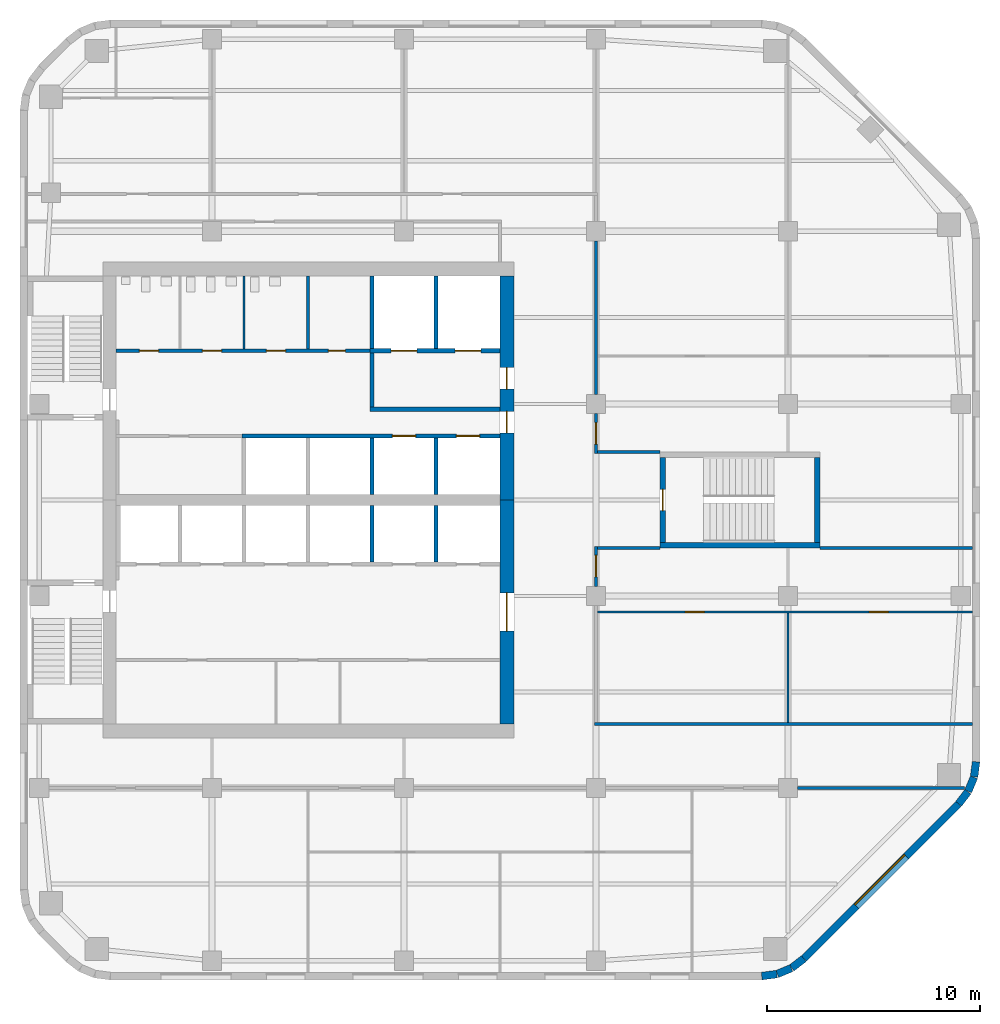
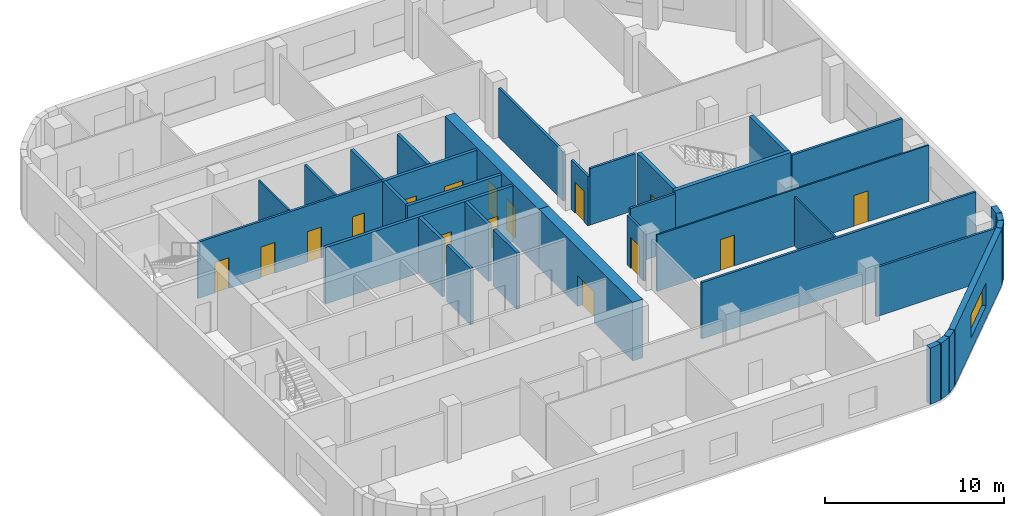
# One storey, part 4 of 8: 35 walls, 16 doors, 1 window, 17 openings.
"""IFC4 building model written with IfcOpenShell, lengths in metres."""

from ifc_helpers import new_model, si_unit, direction, frame, frame_2d, origin, place, context, subcontext, project, spatial, rectangle, extrude, material, layer, layer_set, type_object, element, fill, save


model = new_model("IFC4")

# Units and contexts
model_context = context("Model", 3, precision=1e-05, world=origin(), true_north=direction((0.0, 1.0)))
body_context = subcontext(model_context, "Body", "Model", "MODEL_VIEW")
ifc_project = project(units=[si_unit("LENGTHUNIT", "METRE"), si_unit("AREAUNIT", "SQUARE_METRE"), si_unit("VOLUMEUNIT", "CUBIC_METRE"), si_unit("PLANEANGLEUNIT", "RADIAN"), si_unit("MASSUNIT", "GRAM", prefix="KILO")], contexts=[model_context])

# Site, building, storey
site_placement = place(None, origin())
site = spatial("IfcSite", under=ifc_project, at=site_placement, CompositionType="ELEMENT")
building_placement = place(site_placement, origin())
building = spatial("IfcBuilding", under=site, at=building_placement, Name="Cinnabar Reach Civic Tower", CompositionType="ELEMENT")
storey_placement = place(building_placement, frame((0.0, 0.0, 165.0)))
storey = spatial("IfcBuildingStorey", under=building, at=storey_placement, Name="L39", CompositionType="ELEMENT", Elevation=165.0)

# Walls
ifc_material_1 = material(Name="Facing brick with insulated backing", Category="masonry")
ifc_layer_1 = layer(ifc_material_1, 0.36)
ifc_layer_set_1 = layer_set([ifc_layer_1], Name="Brick corner wall")
wall_type_1 = type_object("IfcWallType", Name="Brick corner wall", PredefinedType="STANDARD", material=ifc_layer_set_1)
for number, where, z_axis, x_axis, name in (
    (1, (34.7686, 9.183, 0.0), (0.0, 0.0, 1.0), (0.99144092581, 0.13055608231, 0.0), "Brick corner wall"),
    (2, (35.4973, 9.2819, 0.0), (0.0, 0.0, 1.0), (0.923871547278, 0.382702709855, 0.0), "Brick corner wall"),
):
    element("IfcWall", number, at=place(storey_placement, frame(where, z_axis=z_axis, x_axis=x_axis)), inside=storey, type_object=wall_type_1, Name=name, PredefinedType="STANDARD", context=body_context, shape_type="SweptSolid", body=[
        extrude(rectangle(XDim=0.7131, YDim=0.36, at=frame_2d((0.3565, 0.0))), origin(), (0.0, 0.0, 1.0), 3.85),
    ])
for number, where, z_axis, x_axis, name in (
    (3, (36.1755, 9.566, 0.0), (0.0, 0.0, 1.0), (0.793321924995, 0.608802368033, 0.0), "Brick corner wall"),
    (4, (43.9998, 17.2587, 0.0), (0.0, 0.0, 1.0), (0.608802368033, 0.793321924995, 0.0), "Brick corner wall"),
):
    element("IfcWall", number, at=place(storey_placement, frame(where, z_axis=z_axis, x_axis=x_axis)), inside=storey, type_object=wall_type_1, Name=name, PredefinedType="STANDARD", context=body_context, shape_type="SweptSolid", body=[
        extrude(rectangle(XDim=0.7132, YDim=0.36, at=frame_2d((0.3566, 0.0))), origin(), (0.0, 0.0, 1.0), 3.85),
    ])
for number, where, z_axis, x_axis, name in (
    (5, (44.4452, 17.8439, 0.0), (0.0, 0.0, 1.0), (0.382702709855, 0.923871547278, 0.0), "Brick corner wall"),
    (6, (44.7239, 18.5244, 0.0), (0.0, 0.0, 1.0), (0.13055608231, 0.99144092581, 0.0), "Brick corner wall"),
):
    element("IfcWall", number, at=place(storey_placement, frame(where, z_axis=z_axis, x_axis=x_axis)), inside=storey, type_object=wall_type_1, Name=name, PredefinedType="STANDARD", context=body_context, shape_type="SweptSolid", body=[
        extrude(rectangle(XDim=0.7131, YDim=0.36, at=frame_2d((0.3565, 0.0))), origin(), (0.0, 0.0, 1.0), 3.85),
    ])

# Wall, opening, window
ifc_layer_2 = layer(ifc_material_1, 0.36)
ifc_layer_set_2 = layer_set([ifc_layer_2], Name="Brick pier and spandrel wall")
wall_type_2 = type_object("IfcWallType", Name="Brick pier and spandrel wall", PredefinedType="STANDARD", material=ifc_layer_set_2)
wall_1_placement = place(storey_placement, frame((36.7514, 10.006, 0.0), z_axis=(0.0, 0.0, 1.0), x_axis=(0.707106781187, 0.707106781187, 0.0)))
wall_1 = element("IfcWall", 7, at=wall_1_placement, inside=storey, type_object=wall_type_2, Name="Brick facade wall", PredefinedType="STANDARD", context=body_context, shape_type="SweptSolid", body=[
    extrude(rectangle(XDim=10.2426, YDim=0.36, at=frame_2d((5.1213, 0.0))), origin(), (0.0, 0.0, 1.0), 3.85),
])
opening_1_placement = place(wall_1_placement, frame((3.4713, 0.0, 0.9)))
opening_1 = element("IfcOpeningElement", 8, at=opening_1_placement, cuts=wall_1, Name="Opening W1807", PredefinedType="OPENING", context=body_context, shape_type="SweptSolid", body=[
    extrude(rectangle(XDim=3.3, YDim=1.6, at=frame_2d((1.65, 0.8))), frame((0.0, 0.19, 0.0), z_axis=(0.0, -1.0, 0.0), x_axis=(1.0, 0.0, 0.0)), (0.0, 0.0, 1.0), 0.38),
])
ifc_material_2 = material(Name="Clear double glazing in aluminium frame", Category="aluminium")
window_type = type_object("IfcWindowType", Name="Deep-set window A", PartitioningType="SINGLE_PANEL", PredefinedType="WINDOW", material=ifc_material_2)
window_placement = place(opening_1_placement, origin())
window = element("IfcWindow", 9, at=window_placement, inside=storey, type_object=window_type, Name="Window southeast face", OverallHeight=1.6, OverallWidth=3.3, PartitioningType="SINGLE_PANEL", PredefinedType="WINDOW", context=body_context, shape_type="SweptSolid", body=[
    extrude(rectangle(XDim=3.3, YDim=1.6, at=frame_2d((1.65, 0.8))), frame((0.0, 0.13, 0.0), z_axis=(0.0, -1.0, 0.0), x_axis=(1.0, 0.0, 0.0)), (0.0, 0.0, 1.0), 0.06),
])
fill(opening_1, window)

# Wall, opening, door
ifc_material_3 = material(Name="Concrete C70", Category="concrete")
ifc_layer_3 = layer(ifc_material_3, 0.65)
ifc_layer_set_3 = layer_set([ifc_layer_3], Name="Core wall 650 EI 180")
wall_type_3 = type_object("IfcWallType", Name="Core wall 650 EI 180", PredefinedType="SOLIDWALL", material=ifc_layer_set_3)
wall_2_placement = place(storey_placement, frame((22.825, 21.0, 0.0), z_axis=(0.0, 0.0, 1.0), x_axis=(0.0, 1.0, 0.0)))
wall_2 = element("IfcWall", 10, at=wall_2_placement, inside=storey, type_object=wall_type_3, Name="Core wall T1 L39 E", PredefinedType="SOLIDWALL", context=body_context, shape_type="SweptSolid", body=[
    extrude(rectangle(XDim=10.5, YDim=0.65, at=frame_2d((5.25, 0.0))), origin(), (0.0, 0.0, 1.0), 4.0),
])
opening_2_placement = place(wall_2_placement, frame((4.35, 0.0, 0.0)))
opening_2 = element("IfcOpeningElement", 11, at=opening_2_placement, cuts=wall_2, Name="Opening D4598", PredefinedType="OPENING", context=body_context, shape_type="SweptSolid", body=[
    extrude(rectangle(XDim=1.8, YDim=2.1, at=frame_2d((0.9, 1.05))), frame((0.0, 0.335, 0.0), z_axis=(0.0, -1.0, 0.0), x_axis=(1.0, 0.0, 0.0)), (0.0, 0.0, 1.0), 0.67),
])
ifc_material_4 = material(Name="Timber door leaf in steel frame", Category="steel")
door_type_1 = type_object("IfcDoorType", Name="Double swing door 1800 x 2100 T1", OperationType="DOUBLE_DOOR_DOUBLE_SWING", PredefinedType="DOOR", material=ifc_material_4)
door_1_placement = place(opening_2_placement, origin())
door_1 = element("IfcDoor", 12, at=door_1_placement, inside=storey, type_object=door_type_1, Name="Door D4598", OperationType="DOUBLE_DOOR_DOUBLE_SWING", OverallHeight=2.1, OverallWidth=1.8, PredefinedType="DOOR", context=body_context, shape_type="SweptSolid", body=[
    extrude(rectangle(XDim=1.8, YDim=2.1, at=frame_2d((0.9, 1.05))), frame((0.0, 0.025, 0.0), z_axis=(0.0, -1.0, 0.0), x_axis=(1.0, 0.0, 0.0)), (0.0, 0.0, 1.0), 0.05),
])
fill(opening_2, door_1)

# Wall, openings, doors
wall_3_placement = place(storey_placement, frame((22.825, 31.5, 0.0), z_axis=(0.0, 0.0, 1.0), x_axis=(0.0, 1.0, 0.0)))
wall_3 = element("IfcWall", 13, at=wall_3_placement, inside=storey, type_object=wall_type_3, Name="Core wall T1 L39 E2", PredefinedType="SOLIDWALL", context=body_context, shape_type="SweptSolid", body=[
    extrude(rectangle(XDim=10.5, YDim=0.65, at=frame_2d((5.25, 0.0))), origin(), (0.0, 0.0, 1.0), 4.0),
])
opening_3_placement = place(wall_3_placement, frame((3.15, 0.0, 0.0)))
opening_3 = element("IfcOpeningElement", 14, at=opening_3_placement, cuts=wall_3, Name="Opening D4599", PredefinedType="OPENING", context=body_context, shape_type="SweptSolid", body=[
    extrude(rectangle(XDim=1.0, YDim=2.1, at=frame_2d((0.5, 1.05))), frame((0.0, 0.335, 0.0), z_axis=(0.0, -1.0, 0.0), x_axis=(1.0, 0.0, 0.0)), (0.0, 0.0, 1.0), 0.67),
])
opening_4_placement = place(wall_3_placement, frame((5.2, 0.0, 0.0)))
opening_4 = element("IfcOpeningElement", 15, at=opening_4_placement, cuts=wall_3, Name="Opening D4600", PredefinedType="OPENING", context=body_context, shape_type="SweptSolid", body=[
    extrude(rectangle(XDim=1.0, YDim=2.1, at=frame_2d((0.5, 1.05))), frame((0.0, 0.335, 0.0), z_axis=(0.0, -1.0, 0.0), x_axis=(1.0, 0.0, 0.0)), (0.0, 0.0, 1.0), 0.67),
])
door_type_2 = type_object("IfcDoorType", Name="Firefighting lobby door 1000 x 2100 T1", OperationType="SINGLE_SWING_LEFT", PredefinedType="DOOR", material=ifc_material_4)
door_2_placement = place(opening_4_placement, origin())
door_2 = element("IfcDoor", 16, at=door_2_placement, inside=storey, type_object=door_type_2, Name="Door D4600", OperationType="SINGLE_SWING_RIGHT", OverallHeight=2.1, OverallWidth=1.0, PredefinedType="DOOR", context=body_context, shape_type="SweptSolid", body=[
    extrude(rectangle(XDim=1.0, YDim=2.1, at=frame_2d((0.5, 1.05))), frame((0.0, 0.025, 0.0), z_axis=(0.0, -1.0, 0.0), x_axis=(1.0, 0.0, 0.0)), (0.0, 0.0, 1.0), 0.05),
])
fill(opening_4, door_2)
door_type_3 = type_object("IfcDoorType", Name="Single swing door 1000 x 2100 T1", OperationType="SINGLE_SWING_LEFT", PredefinedType="DOOR", material=ifc_material_4)
door_3_placement = place(opening_3_placement, origin())
door_3 = element("IfcDoor", 17, at=door_3_placement, inside=storey, type_object=door_type_3, Name="Door D4599", OperationType="SINGLE_SWING_RIGHT", OverallHeight=2.1, OverallWidth=1.0, PredefinedType="DOOR", context=body_context, shape_type="SweptSolid", body=[
    extrude(rectangle(XDim=1.0, YDim=2.1, at=frame_2d((0.5, 1.05))), frame((0.0, 0.025, 0.0), z_axis=(0.0, -1.0, 0.0), x_axis=(1.0, 0.0, 0.0)), (0.0, 0.0, 1.0), 0.05),
])
fill(opening_3, door_3)

# Walls
ifc_material_5 = material(Name="Gypsum board on steel studs, double layer", Category="steel")
ifc_layer_4 = layer(ifc_material_5, 0.15)
ifc_layer_set_4 = layer_set([ifc_layer_4], Name="Corridor wall 150 T1")
wall_type_4 = type_object("IfcWallType", Name="Corridor wall 150 T1", PredefinedType="PARTITIONING", material=ifc_layer_set_4)
wall_4_placement = place(storey_placement, frame((36.45, 18.0, 0.0), z_axis=(0.0, 0.0, 1.0), x_axis=(1.0, 0.0, 0.0)))
element("IfcWall", 18, at=wall_4_placement, inside=storey, type_object=wall_type_4, Name="Corridor wall 22", PredefinedType="PARTITIONING", context=body_context, shape_type="SweptSolid", body=[
    extrude(rectangle(XDim=7.834, YDim=0.15, at=frame_2d((3.917, 0.0))), origin(), (0.0, 0.0, 1.0), 3.35),
])
wall_5_placement = place(storey_placement, frame((26.925, 21.0, 0.0), z_axis=(0.0, 0.0, 1.0), x_axis=(1.0, 0.0, 0.0)))
element("IfcWall", 19, at=wall_5_placement, inside=storey, type_object=wall_type_4, Name="Corridor wall 27", PredefinedType="PARTITIONING", context=body_context, shape_type="SweptSolid", body=[
    extrude(rectangle(XDim=17.715, YDim=0.15, at=frame_2d((8.8575, 0.0))), origin(), (0.0, 0.0, 1.0), 3.85),
])

# Wall, opening, door
wall_6_placement = place(storey_placement, frame((27.0, 33.675, 0.0), z_axis=(0.0, 0.0, 1.0), x_axis=(0.0, 1.0, 0.0)))
wall_6 = element("IfcWall", 20, at=wall_6_placement, inside=storey, type_object=wall_type_4, Name="Corridor wall 28", PredefinedType="PARTITIONING", context=body_context, shape_type="SweptSolid", body=[
    extrude(rectangle(XDim=1.875, YDim=0.15, at=frame_2d((0.9375, 0.0))), origin(), (0.0, 0.0, 1.0), 3.362),
])
opening_5_placement = place(wall_6_placement, frame((0.45, 0.0, 0.0)))
opening_5 = element("IfcOpeningElement", 21, at=opening_5_placement, cuts=wall_6, Name="Opening D4610", PredefinedType="OPENING", context=body_context, shape_type="SweptSolid", body=[
    extrude(rectangle(XDim=1.0, YDim=2.1, at=frame_2d((0.5, 1.05))), frame((0.0, 0.085, 0.0), z_axis=(0.0, -1.0, 0.0), x_axis=(1.0, 0.0, 0.0)), (0.0, 0.0, 1.0), 0.17),
])
door_type_4 = type_object("IfcDoorType", Name="Tenancy entrance door 1000 x 2100 T1", OperationType="SINGLE_SWING_LEFT", PredefinedType="DOOR", material=ifc_material_4)
door_4_placement = place(opening_5_placement, frame((1.0, 0.0, 0.0), z_axis=(0.0, 0.0, 1.0), x_axis=(-1.0, 0.0, 0.0)))
door_4 = element("IfcDoor", 22, at=door_4_placement, inside=storey, type_object=door_type_4, Name="Door D4610", OperationType="SINGLE_SWING_RIGHT", OverallHeight=2.1, OverallWidth=1.0, PredefinedType="DOOR", context=body_context, shape_type="SweptSolid", body=[
    extrude(rectangle(XDim=1.0, YDim=2.1, at=frame_2d((0.5, 1.05))), frame((0.0, 0.025, 0.0), z_axis=(0.0, -1.0, 0.0), x_axis=(1.0, 0.0, 0.0)), (0.0, 0.0, 1.0), 0.05),
])
fill(opening_5, door_4)

# Wall
wall_7_placement = place(storey_placement, frame((27.0, 36.45, 0.0), z_axis=(0.0, 0.0, 1.0), x_axis=(0.0, 1.0, 0.0)))
element("IfcWall", 23, at=wall_7_placement, inside=storey, type_object=wall_type_4, Name="Corridor wall 29", PredefinedType="PARTITIONING", context=body_context, shape_type="SweptSolid", body=[
    extrude(rectangle(XDim=7.2, YDim=0.15, at=frame_2d((3.6, 0.0))), origin(), (0.0, 0.0, 1.0), 3.362),
])

# Wall, openings, doors
wall_8_placement = place(storey_placement, frame((4.5, 38.5, 0.0), z_axis=(0.0, 0.0, 1.0), x_axis=(1.0, 0.0, 0.0)))
wall_8 = element("IfcWall", 24, at=wall_8_placement, inside=storey, type_object=wall_type_4, Name="Corridor wall 31", PredefinedType="PARTITIONING", context=body_context, shape_type="SweptSolid", body=[
    extrude(rectangle(XDim=11.9, YDim=0.15, at=frame_2d((5.95, 0.0))), origin(), (0.0, 0.0, 1.0), 3.85),
])
opening_6_placement = place(wall_8_placement, frame((1.1, 0.0, 0.0)))
opening_6 = element("IfcOpeningElement", 25, at=opening_6_placement, cuts=wall_8, Name="Opening D4606", PredefinedType="OPENING", context=body_context, shape_type="SweptSolid", body=[
    extrude(rectangle(XDim=0.9, YDim=2.1, at=frame_2d((0.45, 1.05))), frame((0.0, 0.085, 0.0), z_axis=(0.0, -1.0, 0.0), x_axis=(1.0, 0.0, 0.0)), (0.0, 0.0, 1.0), 0.17),
])
opening_7_placement = place(wall_8_placement, frame((4.05, 0.0, 0.0)))
opening_7 = element("IfcOpeningElement", 26, at=opening_7_placement, cuts=wall_8, Name="Opening D4607", PredefinedType="OPENING", context=body_context, shape_type="SweptSolid", body=[
    extrude(rectangle(XDim=0.9, YDim=2.1, at=frame_2d((0.45, 1.05))), frame((0.0, 0.085, 0.0), z_axis=(0.0, -1.0, 0.0), x_axis=(1.0, 0.0, 0.0)), (0.0, 0.0, 1.0), 0.17),
])
opening_8_placement = place(wall_8_placement, frame((7.05, 0.0, 0.0)))
opening_8 = element("IfcOpeningElement", 27, at=opening_8_placement, cuts=wall_8, Name="Opening D4608", PredefinedType="OPENING", context=body_context, shape_type="SweptSolid", body=[
    extrude(rectangle(XDim=0.9, YDim=2.1, at=frame_2d((0.45, 1.05))), frame((0.0, 0.085, 0.0), z_axis=(0.0, -1.0, 0.0), x_axis=(1.0, 0.0, 0.0)), (0.0, 0.0, 1.0), 0.17),
])
opening_9_placement = place(wall_8_placement, frame((9.95, 0.0, 0.0)))
opening_9 = element("IfcOpeningElement", 28, at=opening_9_placement, cuts=wall_8, Name="Opening D4609", PredefinedType="OPENING", context=body_context, shape_type="SweptSolid", body=[
    extrude(rectangle(XDim=0.8, YDim=2.1, at=frame_2d((0.4, 1.05))), frame((0.0, 0.085, 0.0), z_axis=(0.0, -1.0, 0.0), x_axis=(1.0, 0.0, 0.0)), (0.0, 0.0, 1.0), 0.17),
])
door_type_5 = type_object("IfcDoorType", Name="Riser access door 800 x 2100 T1", OperationType="SINGLE_SWING_LEFT", PredefinedType="DOOR", material=ifc_material_4)
door_5_placement = place(opening_9_placement, origin())
door_5 = element("IfcDoor", 29, at=door_5_placement, inside=storey, type_object=door_type_5, Name="Door D4609", OperationType="SINGLE_SWING_LEFT", OverallHeight=2.1, OverallWidth=0.8, PredefinedType="DOOR", context=body_context, shape_type="SweptSolid", body=[
    extrude(rectangle(XDim=0.8, YDim=2.1, at=frame_2d((0.4, 1.05))), frame((0.0, 0.025, 0.0), z_axis=(0.0, -1.0, 0.0), x_axis=(1.0, 0.0, 0.0)), (0.0, 0.0, 1.0), 0.05),
])
fill(opening_9, door_5)
door_type_6 = type_object("IfcDoorType", Name="Single swing door 900 x 2100 corridor T1", OperationType="SINGLE_SWING_LEFT", PredefinedType="DOOR", material=ifc_material_4)
door_6_placement = place(opening_6_placement, origin())
door_6 = element("IfcDoor", 30, at=door_6_placement, inside=storey, type_object=door_type_6, Name="Door D4606", OperationType="SINGLE_SWING_RIGHT", OverallHeight=2.1, OverallWidth=0.9, PredefinedType="DOOR", context=body_context, shape_type="SweptSolid", body=[
    extrude(rectangle(XDim=0.9, YDim=2.1, at=frame_2d((0.45, 1.05))), frame((0.0, 0.025, 0.0), z_axis=(0.0, -1.0, 0.0), x_axis=(1.0, 0.0, 0.0)), (0.0, 0.0, 1.0), 0.05),
])
fill(opening_6, door_6)
door_7_placement = place(opening_7_placement, origin())
door_7 = element("IfcDoor", 31, at=door_7_placement, inside=storey, type_object=door_type_6, Name="Door D4607", OperationType="SINGLE_SWING_LEFT", OverallHeight=2.1, OverallWidth=0.9, PredefinedType="DOOR", context=body_context, shape_type="SweptSolid", body=[
    extrude(rectangle(XDim=0.9, YDim=2.1, at=frame_2d((0.45, 1.05))), frame((0.0, 0.025, 0.0), z_axis=(0.0, -1.0, 0.0), x_axis=(1.0, 0.0, 0.0)), (0.0, 0.0, 1.0), 0.05),
])
fill(opening_7, door_7)
door_8_placement = place(opening_8_placement, origin())
door_8 = element("IfcDoor", 32, at=door_8_placement, inside=storey, type_object=door_type_6, Name="Door D4608", OperationType="SINGLE_SWING_RIGHT", OverallHeight=2.1, OverallWidth=0.9, PredefinedType="DOOR", context=body_context, shape_type="SweptSolid", body=[
    extrude(rectangle(XDim=0.9, YDim=2.1, at=frame_2d((0.45, 1.05))), frame((0.0, 0.025, 0.0), z_axis=(0.0, -1.0, 0.0), x_axis=(1.0, 0.0, 0.0)), (0.0, 0.0, 1.0), 0.05),
])
fill(opening_8, door_8)

# Wall, opening, door
wall_9_placement = place(storey_placement, frame((27.0, 27.45, 0.0), z_axis=(0.0, 0.0, 1.0), x_axis=(0.0, 1.0, 0.0)))
wall_9 = element("IfcWall", 33, at=wall_9_placement, inside=storey, type_object=wall_type_4, Name="Corridor wall 33", PredefinedType="PARTITIONING", context=body_context, shape_type="SweptSolid", body=[
    extrude(rectangle(XDim=1.875, YDim=0.15, at=frame_2d((0.9375, 0.0))), origin(), (0.0, 0.0, 1.0), 3.362),
])
opening_10_placement = place(wall_9_placement, frame((0.45, 0.0, 0.0)))
opening_10 = element("IfcOpeningElement", 34, at=opening_10_placement, cuts=wall_9, Name="Opening D4613", PredefinedType="OPENING", context=body_context, shape_type="SweptSolid", body=[
    extrude(rectangle(XDim=1.0, YDim=2.1, at=frame_2d((0.5, 1.05))), frame((0.0, 0.085, 0.0), z_axis=(0.0, -1.0, 0.0), x_axis=(1.0, 0.0, 0.0)), (0.0, 0.0, 1.0), 0.17),
])
door_9_placement = place(opening_10_placement, frame((1.0, 0.0, 0.0), z_axis=(0.0, 0.0, 1.0), x_axis=(-1.0, 0.0, 0.0)))
door_9 = element("IfcDoor", 35, at=door_9_placement, inside=storey, type_object=door_type_4, Name="Door D4613", OperationType="SINGLE_SWING_LEFT", OverallHeight=2.1, OverallWidth=1.0, PredefinedType="DOOR", context=body_context, shape_type="SweptSolid", body=[
    extrude(rectangle(XDim=1.0, YDim=2.1, at=frame_2d((0.5, 1.05))), frame((0.0, 0.025, 0.0), z_axis=(0.0, -1.0, 0.0), x_axis=(1.0, 0.0, 0.0)), (0.0, 0.0, 1.0), 0.05),
])
fill(opening_10, door_9)

# Walls
for number, where, z_axis, x_axis, name in (
    (36, (27.075, 29.25, 0.0), (0.0, 0.0, 1.0), (1.0, 0.0, 0.0), "Corridor wall 37"),
    (37, (27.075, 33.75, 0.0), (0.0, 0.0, 1.0), (1.0, 0.0, 0.0), "Corridor wall 38"),
):
    element("IfcWall", number, at=place(storey_placement, frame(where, z_axis=z_axis, x_axis=x_axis)), inside=storey, type_object=wall_type_4, Name=name, PredefinedType="PARTITIONING", context=body_context, shape_type="SweptSolid", body=[
        extrude(rectangle(XDim=2.925, YDim=0.15, at=frame_2d((1.4625, 0.0))), origin(), (0.0, 0.0, 1.0), 3.85),
    ])

# Wall, openings, doors
ifc_material_6 = material(Name="Blockwork", Category="masonry")
ifc_layer_5 = layer(ifc_material_6, 0.2)
ifc_layer_set_5 = layer_set([ifc_layer_5], Name="Lift shaft wall 200 T1")
wall_type_5 = type_object("IfcWallType", Name="Lift shaft wall 200 T1", PredefinedType="PARTITIONING", material=ifc_layer_set_5)
wall_10_placement = place(storey_placement, frame((10.4, 34.5, 0.0), z_axis=(0.0, 0.0, 1.0), x_axis=(1.0, 0.0, 0.0)))
wall_10 = element("IfcWall", 38, at=wall_10_placement, inside=storey, type_object=wall_type_5, Name="Lift shaft wall 5", PredefinedType="PARTITIONING", context=body_context, shape_type="SweptSolid", body=[
    extrude(rectangle(XDim=12.1, YDim=0.2, at=frame_2d((6.05, 0.0))), origin(), (0.0, 0.0, 1.0), 3.85),
])
opening_11_placement = place(wall_10_placement, frame((7.05, 0.0, 0.0)))
opening_11 = element("IfcOpeningElement", 39, at=opening_11_placement, cuts=wall_10, Name="Opening D4594", PredefinedType="OPENING", context=body_context, shape_type="SweptSolid", body=[
    extrude(rectangle(XDim=1.1, YDim=2.1, at=frame_2d((0.55, 1.05))), frame((0.0, 0.11, 0.0), z_axis=(0.0, -1.0, 0.0), x_axis=(1.0, 0.0, 0.0)), (0.0, 0.0, 1.0), 0.22),
])
opening_12_placement = place(wall_10_placement, frame((10.05, 0.0, 0.0)))
opening_12 = element("IfcOpeningElement", 40, at=opening_12_placement, cuts=wall_10, Name="Opening D4595", PredefinedType="OPENING", context=body_context, shape_type="SweptSolid", body=[
    extrude(rectangle(XDim=1.1, YDim=2.1, at=frame_2d((0.55, 1.05))), frame((0.0, 0.11, 0.0), z_axis=(0.0, -1.0, 0.0), x_axis=(1.0, 0.0, 0.0)), (0.0, 0.0, 1.0), 0.22),
])
ifc_material_7 = material(Name="Stainless steel sliding door", Category="steel")
door_type_7 = type_object("IfcDoorType", Name="Lift landing door 1100 x 2100 T1", OperationType="SLIDING_TO_LEFT", PredefinedType="DOOR", material=ifc_material_7)
door_10_placement = place(opening_11_placement, origin())
door_10 = element("IfcDoor", 41, at=door_10_placement, inside=storey, type_object=door_type_7, Name="Lift landing door SV1 L39", OperationType="SLIDING_TO_LEFT", OverallHeight=2.1, OverallWidth=1.1, PredefinedType="DOOR", context=body_context, shape_type="SweptSolid", body=[
    extrude(rectangle(XDim=1.1, YDim=2.1, at=frame_2d((0.55, 1.05))), frame((0.0, 0.025, 0.0), z_axis=(0.0, -1.0, 0.0), x_axis=(1.0, 0.0, 0.0)), (0.0, 0.0, 1.0), 0.05),
])
fill(opening_11, door_10)
door_11_placement = place(opening_12_placement, origin())
door_11 = element("IfcDoor", 42, at=door_11_placement, inside=storey, type_object=door_type_7, Name="Lift landing door SV2 L39", OperationType="SLIDING_TO_LEFT", OverallHeight=2.1, OverallWidth=1.1, PredefinedType="DOOR", context=body_context, shape_type="SweptSolid", body=[
    extrude(rectangle(XDim=1.1, YDim=2.1, at=frame_2d((0.55, 1.05))), frame((0.0, 0.025, 0.0), z_axis=(0.0, -1.0, 0.0), x_axis=(1.0, 0.0, 0.0)), (0.0, 0.0, 1.0), 0.05),
])
fill(opening_12, door_11)

# Walls
for number, where, z_axis, x_axis, name in (
    (43, (16.5, 28.6, 0.0), (0.0, 0.0, 1.0), (0.0, 1.0, 0.0), "Lift shaft wall 10"),
    (44, (16.5, 31.75, 0.0), (0.0, 0.0, 1.0), (0.0, 1.0, 0.0), "Lift shaft wall 11"),
    (45, (19.5, 28.6, 0.0), (0.0, 0.0, 1.0), (0.0, 1.0, 0.0), "Lift shaft wall 12"),
    (46, (19.5, 31.75, 0.0), (0.0, 0.0, 1.0), (0.0, 1.0, 0.0), "Lift shaft wall 13"),
):
    element("IfcWall", number, at=place(storey_placement, frame(where, z_axis=z_axis, x_axis=x_axis)), inside=storey, type_object=wall_type_5, Name=name, PredefinedType="PARTITIONING", context=body_context, shape_type="SweptSolid", body=[
        extrude(rectangle(XDim=2.65, YDim=0.2, at=frame_2d((1.325, 0.0))), origin(), (0.0, 0.0, 1.0), 3.85),
    ])
for number, where, z_axis, x_axis, name in (
    (47, (16.5, 38.6, 0.0), (0.0, 0.0, 1.0), (0.0, 1.0, 0.0), "Lift shaft wall 14"),
    (48, (19.5, 38.6, 0.0), (0.0, 0.0, 1.0), (0.0, 1.0, 0.0), "Lift shaft wall 15"),
):
    element("IfcWall", number, at=place(storey_placement, frame(where, z_axis=z_axis, x_axis=x_axis)), inside=storey, type_object=wall_type_5, Name=name, PredefinedType="PARTITIONING", context=body_context, shape_type="SweptSolid", body=[
        extrude(rectangle(XDim=3.4, YDim=0.2, at=frame_2d((1.7, 0.0))), origin(), (0.0, 0.0, 1.0), 3.85),
    ])

# Wall, openings, doors
ifc_material_8 = material(Name="Gypsum board on steel studs", Category="steel")
ifc_layer_6 = layer(ifc_material_8, 0.1)
ifc_layer_set_6 = layer_set([ifc_layer_6], Name="Partition wall 100 T1")
wall_type_6 = type_object("IfcWallType", Name="Partition wall 100 T1", PredefinedType="PARTITIONING", material=ifc_layer_set_6)
wall_11_placement = place(storey_placement, frame((27.075, 26.25, 0.0), z_axis=(0.0, 0.0, 1.0), x_axis=(1.0, 0.0, 0.0)))
wall_11 = element("IfcWall", 49, at=wall_11_placement, inside=storey, type_object=wall_type_6, Name="Partition wall 44", PredefinedType="PARTITIONING", context=body_context, shape_type="SweptSolid", body=[
    extrude(rectangle(XDim=17.565, YDim=0.1, at=frame_2d((8.7825, 0.0))), origin(), (0.0, 0.0, 1.0), 3.85),
])
opening_13_placement = place(wall_11_placement, frame((4.1, 0.0, 0.0)))
opening_13 = element("IfcOpeningElement", 50, at=opening_13_placement, cuts=wall_11, Name="Opening D4614", PredefinedType="OPENING", context=body_context, shape_type="SweptSolid", body=[
    extrude(rectangle(XDim=0.9, YDim=2.1, at=frame_2d((0.45, 1.05))), frame((0.0, 0.06, 0.0), z_axis=(0.0, -1.0, 0.0), x_axis=(1.0, 0.0, 0.0)), (0.0, 0.0, 1.0), 0.12),
])
opening_14_placement = place(wall_11_placement, frame((12.725, 0.0, 0.0)))
opening_14 = element("IfcOpeningElement", 51, at=opening_14_placement, cuts=wall_11, Name="Opening D4615", PredefinedType="OPENING", context=body_context, shape_type="SweptSolid", body=[
    extrude(rectangle(XDim=0.9, YDim=2.1, at=frame_2d((0.45, 1.05))), frame((0.0, 0.06, 0.0), z_axis=(0.0, -1.0, 0.0), x_axis=(1.0, 0.0, 0.0)), (0.0, 0.0, 1.0), 0.12),
])
door_type_8 = type_object("IfcDoorType", Name="Single swing door 900 x 2100 T1", OperationType="SINGLE_SWING_LEFT", PredefinedType="DOOR", material=ifc_material_4)
door_12_placement = place(opening_13_placement, frame((0.9, 0.0, 0.0), z_axis=(0.0, 0.0, 1.0), x_axis=(-1.0, 0.0, 0.0)))
door_12 = element("IfcDoor", 52, at=door_12_placement, inside=storey, type_object=door_type_8, Name="Door D4614", OperationType="SINGLE_SWING_RIGHT", OverallHeight=2.1, OverallWidth=0.9, PredefinedType="DOOR", context=body_context, shape_type="SweptSolid", body=[
    extrude(rectangle(XDim=0.9, YDim=2.1, at=frame_2d((0.45, 1.05))), frame((0.0, 0.025, 0.0), z_axis=(0.0, -1.0, 0.0), x_axis=(1.0, 0.0, 0.0)), (0.0, 0.0, 1.0), 0.05),
])
fill(opening_13, door_12)
door_13_placement = place(opening_14_placement, frame((0.9, 0.0, 0.0), z_axis=(0.0, 0.0, 1.0), x_axis=(-1.0, 0.0, 0.0)))
door_13 = element("IfcDoor", 53, at=door_13_placement, inside=storey, type_object=door_type_8, Name="Door D4615", OperationType="SINGLE_SWING_RIGHT", OverallHeight=2.1, OverallWidth=0.9, PredefinedType="DOOR", context=body_context, shape_type="SweptSolid", body=[
    extrude(rectangle(XDim=0.9, YDim=2.1, at=frame_2d((0.45, 1.05))), frame((0.0, 0.025, 0.0), z_axis=(0.0, -1.0, 0.0), x_axis=(1.0, 0.0, 0.0)), (0.0, 0.0, 1.0), 0.05),
])
fill(opening_14, door_13)

# Walls
wall_12_placement = place(storey_placement, frame((36.0, 21.075, 0.0), z_axis=(0.0, 0.0, 1.0), x_axis=(0.0, 1.0, 0.0)))
element("IfcWall", 54, at=wall_12_placement, inside=storey, type_object=wall_type_6, Name="Partition wall 58", PredefinedType="PARTITIONING", context=body_context, shape_type="SweptSolid", body=[
    extrude(rectangle(XDim=5.125, YDim=0.1, at=frame_2d((2.5625, 0.0))), origin(), (0.0, 0.0, 1.0), 3.362),
])
wall_13_placement = place(storey_placement, frame((10.5, 38.575, 0.0), z_axis=(0.0, 0.0, 1.0), x_axis=(0.0, 1.0, 0.0)))
element("IfcWall", 55, at=wall_13_placement, inside=storey, type_object=wall_type_6, Name="Partition wall 60", PredefinedType="PARTITIONING", context=body_context, shape_type="SweptSolid", body=[
    extrude(rectangle(XDim=3.425, YDim=0.1, at=frame_2d((1.7125, 0.0))), origin(), (0.0, 0.0, 1.0), 3.85),
])
ifc_material_9 = material(Name="Concrete C40", Category="concrete")
ifc_layer_7 = layer(ifc_material_9, 0.2)
ifc_layer_set_7 = layer_set([ifc_layer_7], Name="Refuge compartment wall 200 T1")
wall_type_7 = type_object("IfcWallType", Name="Refuge compartment wall 200 T1", PredefinedType="PARTITIONING", material=ifc_layer_set_7)
wall_14_placement = place(storey_placement, frame((16.4, 35.75, 0.0), z_axis=(0.0, 0.0, 1.0), x_axis=(1.0, 0.0, 0.0)))
element("IfcWall", 56, at=wall_14_placement, inside=storey, type_object=wall_type_7, Name="Refuge compartment wall 1", PredefinedType="PARTITIONING", context=body_context, shape_type="SweptSolid", body=[
    extrude(rectangle(XDim=6.1, YDim=0.2, at=frame_2d((3.05, 0.0))), origin(), (0.0, 0.0, 1.0), 3.85),
])

# Wall, openings, doors
wall_15_placement = place(storey_placement, frame((16.4, 38.5, 0.0), z_axis=(0.0, 0.0, 1.0), x_axis=(1.0, 0.0, 0.0)))
wall_15 = element("IfcWall", 57, at=wall_15_placement, inside=storey, type_object=wall_type_7, Name="Refuge compartment wall 2", PredefinedType="PARTITIONING", context=body_context, shape_type="SweptSolid", body=[
    extrude(rectangle(XDim=6.1, YDim=0.2, at=frame_2d((3.05, 0.0))), origin(), (0.0, 0.0, 1.0), 3.85),
])
opening_15_placement = place(wall_15_placement, frame((1.0, 0.0, 0.0)))
opening_15 = element("IfcOpeningElement", 58, at=opening_15_placement, cuts=wall_15, Name="Opening D4596", PredefinedType="OPENING", context=body_context, shape_type="SweptSolid", body=[
    extrude(rectangle(XDim=1.2, YDim=2.1, at=frame_2d((0.6, 1.05))), frame((0.0, 0.11, 0.0), z_axis=(0.0, -1.0, 0.0), x_axis=(1.0, 0.0, 0.0)), (0.0, 0.0, 1.0), 0.22),
])
opening_16_placement = place(wall_15_placement, frame((4.0, 0.0, 0.0)))
opening_16 = element("IfcOpeningElement", 59, at=opening_16_placement, cuts=wall_15, Name="Opening D4597", PredefinedType="OPENING", context=body_context, shape_type="SweptSolid", body=[
    extrude(rectangle(XDim=1.2, YDim=2.1, at=frame_2d((0.6, 1.05))), frame((0.0, 0.11, 0.0), z_axis=(0.0, -1.0, 0.0), x_axis=(1.0, 0.0, 0.0)), (0.0, 0.0, 1.0), 0.22),
])
door_type_9 = type_object("IfcDoorType", Name="Firefighting lift landing door 1200 x 2100 T1", OperationType="SLIDING_TO_LEFT", PredefinedType="DOOR", material=ifc_material_7)
door_14_placement = place(opening_15_placement, origin())
door_14 = element("IfcDoor", 60, at=door_14_placement, inside=storey, type_object=door_type_9, Name="Lift landing door FF1 L39", OperationType="SLIDING_TO_LEFT", OverallHeight=2.1, OverallWidth=1.2, PredefinedType="DOOR", context=body_context, shape_type="SweptSolid", body=[
    extrude(rectangle(XDim=1.2, YDim=2.1, at=frame_2d((0.6, 1.05))), frame((0.0, 0.025, 0.0), z_axis=(0.0, -1.0, 0.0), x_axis=(1.0, 0.0, 0.0)), (0.0, 0.0, 1.0), 0.05),
])
fill(opening_15, door_14)
door_15_placement = place(opening_16_placement, origin())
door_15 = element("IfcDoor", 61, at=door_15_placement, inside=storey, type_object=door_type_9, Name="Lift landing door FF2 L39", OperationType="SLIDING_TO_LEFT", OverallHeight=2.1, OverallWidth=1.2, PredefinedType="DOOR", context=body_context, shape_type="SweptSolid", body=[
    extrude(rectangle(XDim=1.2, YDim=2.1, at=frame_2d((0.6, 1.05))), frame((0.0, 0.025, 0.0), z_axis=(0.0, -1.0, 0.0), x_axis=(1.0, 0.0, 0.0)), (0.0, 0.0, 1.0), 0.05),
])
fill(opening_16, door_15)

# Walls
wall_16_placement = place(storey_placement, frame((16.5, 35.85, 0.0), z_axis=(0.0, 0.0, 1.0), x_axis=(0.0, 1.0, 0.0)))
element("IfcWall", 62, at=wall_16_placement, inside=storey, type_object=wall_type_7, Name="Refuge compartment wall 3", PredefinedType="PARTITIONING", context=body_context, shape_type="SweptSolid", body=[
    extrude(rectangle(XDim=2.55, YDim=0.2, at=frame_2d((1.275, 0.0))), origin(), (0.0, 0.0, 1.0), 3.85),
])
ifc_layer_8 = layer(ifc_material_6, 0.15)
ifc_layer_set_8 = layer_set([ifc_layer_8], Name="Riser wall 150 T1")
wall_type_8 = type_object("IfcWallType", Name="Riser wall 150 T1", PredefinedType="PARTITIONING", material=ifc_layer_set_8)
wall_17_placement = place(storey_placement, frame((13.5, 38.575, 0.0), z_axis=(0.0, 0.0, 1.0), x_axis=(0.0, 1.0, 0.0)))
element("IfcWall", 63, at=wall_17_placement, inside=storey, type_object=wall_type_8, Name="Riser wall 41", PredefinedType="PARTITIONING", context=body_context, shape_type="SweptSolid", body=[
    extrude(rectangle(XDim=3.425, YDim=0.15, at=frame_2d((1.7125, 0.0))), origin(), (0.0, 0.0, 1.0), 3.85),
])
ifc_material_10 = material(Name="Concrete C60", Category="concrete")
ifc_layer_9 = layer(ifc_material_10, 0.25)
ifc_layer_set_9 = layer_set([ifc_layer_9], Name="Stair shaft wall 250 EI 120")
wall_type_9 = type_object("IfcWallType", Name="Stair shaft wall 250 EI 120", PredefinedType="SOLIDWALL", material=ifc_layer_set_9)
wall_18_placement = place(storey_placement, frame((30.0, 29.375, 0.0), z_axis=(0.0, 0.0, 1.0), x_axis=(1.0, 0.0, 0.0)))
element("IfcWall", 64, at=wall_18_placement, inside=storey, type_object=wall_type_9, Name="Stair shaft wall T1-S3 L39", PredefinedType="SOLIDWALL", context=body_context, shape_type="SweptSolid", body=[
    extrude(rectangle(XDim=7.5, YDim=0.25, at=frame_2d((3.75, 0.0))), origin(), (0.0, 0.0, 1.0), 4.0),
])
wall_19_placement = place(storey_placement, frame((37.375, 29.5, 0.0), z_axis=(0.0, 0.0, 1.0), x_axis=(0.0, 1.0, 0.0)))
element("IfcWall", 65, at=wall_19_placement, inside=storey, type_object=wall_type_9, Name="Stair shaft wall T1-S3 L39", PredefinedType="SOLIDWALL", context=body_context, shape_type="SweptSolid", body=[
    extrude(rectangle(XDim=4.0, YDim=0.25, at=frame_2d((2.0, 0.0))), origin(), (0.0, 0.0, 1.0), 4.0),
])

# Wall, opening, door
wall_20_placement = place(storey_placement, frame((30.125, 33.5, 0.0), z_axis=(0.0, 0.0, 1.0), x_axis=(0.0, -1.0, 0.0)))
wall_20 = element("IfcWall", 66, at=wall_20_placement, inside=storey, type_object=wall_type_9, Name="Stair shaft wall T1-S3 L39", PredefinedType="SOLIDWALL", context=body_context, shape_type="SweptSolid", body=[
    extrude(rectangle(XDim=4.0, YDim=0.25, at=frame_2d((2.0, 0.0))), origin(), (0.0, 0.0, 1.0), 4.0),
])
opening_17_placement = place(wall_20_placement, frame((1.5, 0.0, 0.0)))
opening_17 = element("IfcOpeningElement", 67, at=opening_17_placement, cuts=wall_20, Name="Opening D4601", PredefinedType="OPENING", context=body_context, shape_type="SweptSolid", body=[
    extrude(rectangle(XDim=1.0, YDim=2.1, at=frame_2d((0.5, 1.05))), frame((0.0, 0.135, 0.0), z_axis=(0.0, -1.0, 0.0), x_axis=(1.0, 0.0, 0.0)), (0.0, 0.0, 1.0), 0.27),
])
door_type_10 = type_object("IfcDoorType", Name="Stair door 1000 x 2100 T1", OperationType="SINGLE_SWING_LEFT", PredefinedType="DOOR", material=ifc_material_4)
door_16_placement = place(opening_17_placement, origin())
door_16 = element("IfcDoor", 68, at=door_16_placement, inside=storey, type_object=door_type_10, Name="Door D4601", OperationType="SINGLE_SWING_LEFT", OverallHeight=2.1, OverallWidth=1.0, PredefinedType="DOOR", context=body_context, shape_type="SweptSolid", body=[
    extrude(rectangle(XDim=1.0, YDim=2.1, at=frame_2d((0.5, 1.05))), frame((0.0, 0.025, 0.0), z_axis=(0.0, -1.0, 0.0), x_axis=(1.0, 0.0, 0.0)), (0.0, 0.0, 1.0), 0.05),
])
fill(opening_17, door_16)

# Wall
ifc_layer_10 = layer(ifc_material_5, 0.15)
ifc_layer_set_10 = layer_set([ifc_layer_10], Name="Tenancy separating wall 150 T1")
wall_type_10 = type_object("IfcWallType", Name="Tenancy separating wall 150 T1", PredefinedType="PARTITIONING", material=ifc_layer_set_10)
wall_21_placement = place(storey_placement, frame((37.5, 29.25, 0.0), z_axis=(0.0, 0.0, 1.0), x_axis=(1.0, 0.0, 0.0)))
element("IfcWall", 69, at=wall_21_placement, inside=storey, type_object=wall_type_10, Name="Tenancy separating wall 42", PredefinedType="PARTITIONING", context=body_context, shape_type="SweptSolid", body=[
    extrude(rectangle(XDim=7.14, YDim=0.15, at=frame_2d((3.57, 0.0))), origin(), (0.0, 0.0, 1.0), 3.85),
])

save(model, "model.ifc")
